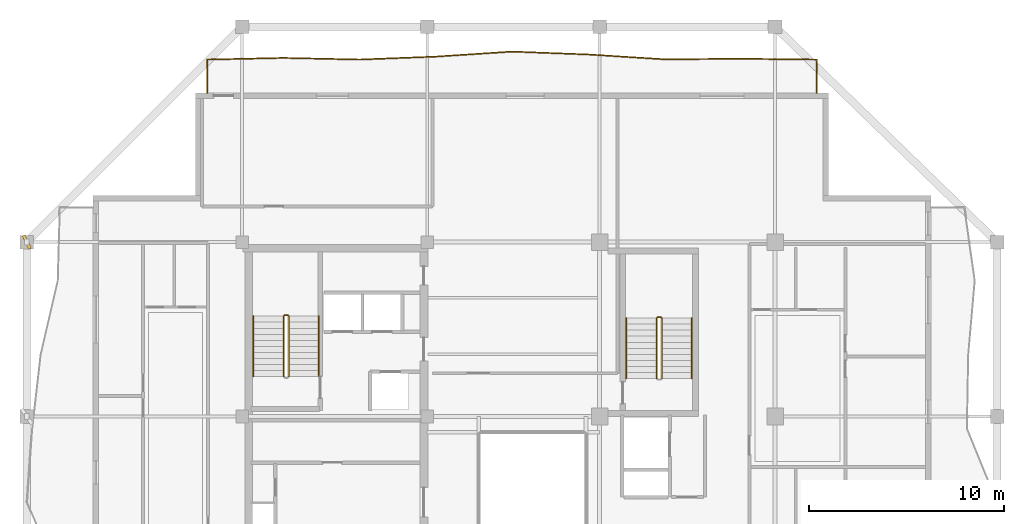
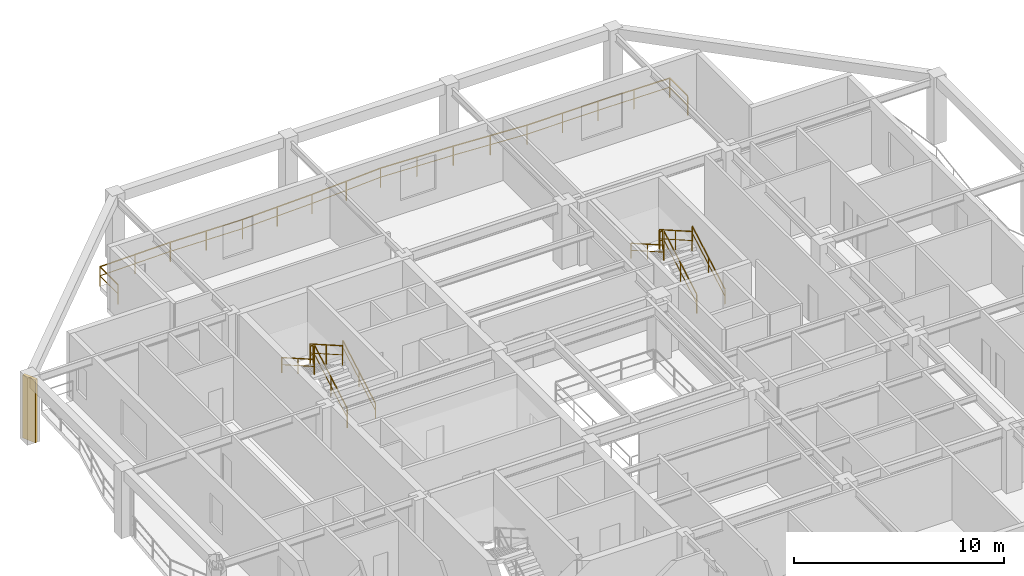
# One storey, part 11 of 12: 11 railings, 1 shading device.
"""IFC4 building model written with IfcOpenShell, lengths in metres."""

from ifc_helpers import new_model, si_unit, direction, frame, origin, origin_2d, place, context, subcontext, project, spatial, rectangle, extrude, material, type_object, element, save


model = new_model("IFC4")

# Units and contexts
model_context = context("Model", 3, precision=1e-05, world=origin(), true_north=direction((0.0, 1.0)))
body_context = subcontext(model_context, "Body", "Model", "MODEL_VIEW")
ifc_project = project(units=[si_unit("LENGTHUNIT", "METRE"), si_unit("AREAUNIT", "SQUARE_METRE"), si_unit("VOLUMEUNIT", "CUBIC_METRE"), si_unit("PLANEANGLEUNIT", "RADIAN"), si_unit("MASSUNIT", "GRAM", prefix="KILO")], contexts=[model_context])

# Site, building, storey
site_placement = place(None, origin())
site = spatial("IfcSite", under=ifc_project, at=site_placement, CompositionType="ELEMENT")
building_placement = place(site_placement, origin())
building = spatial("IfcBuilding", under=site, at=building_placement, Name="Kundavana Baori Tower", CompositionType="ELEMENT")
storey_placement = place(building_placement, frame((0.0, 0.0, 245.300048828125)))
storey = spatial("IfcBuildingStorey", under=building, at=storey_placement, Name="L60", CompositionType="ELEMENT", Elevation=245.300048828125)

# Railings
ifc_material_1 = material(Name="Architectural Patinated Bronze Metalwork")
railing_type_1 = type_object("IfcRailingType", Name="RL-BAL-1150", PredefinedType="BALUSTRADE", material=ifc_material_1)
railing_1_placement = place(storey_placement, frame((13.64990234375, 49.60009765625, 0.0)))
element("IfcRailing", 1, at=railing_1_placement, inside=storey, type_object=railing_type_1, Name="L60 Loggia Balcony Balustrade N", PredefinedType="BALUSTRADE", context=body_context, shape_type="SweptSolid", body=[
    extrude(rectangle(XDim=0.048095703125, YDim=0.048095703125, at=origin_2d()), frame((0.0, 0.0, 1.1259765625), z_axis=(0.0, 1.0, 0.0), x_axis=(-1.0, 0.0, 0.0)), (0.0, 0.0, 1.0), 1.719970703125),
    extrude(rectangle(XDim=0.03125, YDim=0.03125, at=origin_2d()), frame((0.0, 0.0, 0.597900390625), z_axis=(0.0, 1.0, 0.0), x_axis=(-1.0, 0.0, 0.0)), (0.0, 0.0, 1.0), 1.719970703125),
    extrude(rectangle(XDim=0.048095703125, YDim=0.048095703125, at=origin_2d()), frame((0.0, 1.719970703125, 1.1259765625), z_axis=(0.999758811656, 0.02196175123, 0.0), x_axis=(-0.02196175123, 0.999758811656, 0.0)), (0.0, 0.0, 1.0), 3.9130859375),
    extrude(rectangle(XDim=0.03125, YDim=0.03125, at=origin_2d()), frame((0.0, 1.719970703125, 0.597900390625), z_axis=(0.999758811656, 0.02196175123, 0.0), x_axis=(-0.02196175123, 0.999758811656, 0.0)), (0.0, 0.0, 1.0), 3.9130859375),
    extrude(rectangle(XDim=0.048095703125, YDim=0.048095703125, at=origin_2d()), frame((3.912109375, 1.805908203125, 1.1259765625), z_axis=(0.999769761358, -0.021457499246, 0.0), x_axis=(0.021457499246, 0.999769761358, 0.0)), (0.0, 0.0, 1.0), 3.9140625),
    extrude(rectangle(XDim=0.03125, YDim=0.03125, at=origin_2d()), frame((3.912109375, 1.805908203125, 0.597900390625), z_axis=(0.999769761358, -0.021457499246, 0.0), x_axis=(0.021457499246, 0.999769761358, 0.0)), (0.0, 0.0, 1.0), 3.9140625),
    extrude(rectangle(XDim=0.048095703125, YDim=0.048095703125, at=origin_2d()), frame((7.8251953125, 1.721923828125, 1.1259765625), z_axis=(0.99925739391, 0.038531295279, 0.0), x_axis=(-0.038531295279, 0.99925739391, 0.0)), (0.0, 0.0, 1.0), 3.915771484375),
    extrude(rectangle(XDim=0.03125, YDim=0.03125, at=origin_2d()), frame((7.8251953125, 1.721923828125, 0.597900390625), z_axis=(0.99925739391, 0.038531295279, 0.0), x_axis=(-0.038531295279, 0.99925739391, 0.0)), (0.0, 0.0, 1.0), 3.915771484375),
    extrude(rectangle(XDim=0.048095703125, YDim=0.048095703125, at=origin_2d()), frame((11.738037109375, 1.872802734375, 1.1259765625), z_axis=(0.997831478904, 0.065820511308, 0.0), x_axis=(-0.065820511308, 0.997831478904, 0.0)), (0.0, 0.0, 1.0), 3.920654296875),
    extrude(rectangle(XDim=0.03125, YDim=0.03125, at=origin_2d()), frame((11.738037109375, 1.872802734375, 0.597900390625), z_axis=(0.997831478904, 0.065820511308, 0.0), x_axis=(-0.065820511308, 0.997831478904, 0.0)), (0.0, 0.0, 1.0), 3.920654296875),
    extrude(rectangle(XDim=0.048095703125, YDim=0.048095703125, at=origin_2d()), frame((15.650146484375, 2.130859375, 1.1259765625), z_axis=(0.999276474792, -0.038033234518, 0.0), x_axis=(0.038033234518, 0.999276474792, 0.0)), (0.0, 0.0, 1.0), 3.915771484375),
    extrude(rectangle(XDim=0.03125, YDim=0.03125, at=origin_2d()), frame((15.650146484375, 2.130859375, 0.597900390625), z_axis=(0.999276474792, -0.038033234518, 0.0), x_axis=(0.038033234518, 0.999276474792, 0.0)), (0.0, 0.0, 1.0), 3.915771484375),
    extrude(rectangle(XDim=0.048095703125, YDim=0.048095703125, at=origin_2d()), frame((19.56298828125, 1.98193359375, 1.1259765625), z_axis=(0.997995950254, -0.063277826102, 0.0), x_axis=(0.063277826102, 0.997995950254, 0.0)), (0.0, 0.0, 1.0), 3.919921875),
    extrude(rectangle(XDim=0.03125, YDim=0.03125, at=origin_2d()), frame((19.56298828125, 1.98193359375, 0.597900390625), z_axis=(0.997995950254, -0.063277826102, 0.0), x_axis=(0.063277826102, 0.997995950254, 0.0)), (0.0, 0.0, 1.0), 3.919921875),
    extrude(rectangle(XDim=0.048095703125, YDim=0.048095703125, at=origin_2d()), frame((23.47509765625, 1.73388671875, 1.1259765625), z_axis=(0.999974261084, 0.007174759173, 0.0), x_axis=(-0.007174759173, 0.999974261084, 0.0)), (0.0, 0.0, 1.0), 3.9130859375),
    extrude(rectangle(XDim=0.03125, YDim=0.03125, at=origin_2d()), frame((23.47509765625, 1.73388671875, 0.597900390625), z_axis=(0.999974261084, 0.007174759173, 0.0), x_axis=(-0.007174759173, 0.999974261084, 0.0)), (0.0, 0.0, 1.0), 3.9130859375),
    extrude(rectangle(XDim=0.048095703125, YDim=0.048095703125, at=origin_2d()), frame((27.38818359375, 1.761962890625, 1.1259765625), z_axis=(0.999942389492, -0.010733950633, 0.0), x_axis=(0.010733950633, 0.999942389492, 0.0)), (0.0, 0.0, 1.0), 3.912109375),
    extrude(rectangle(XDim=0.03125, YDim=0.03125, at=origin_2d()), frame((27.38818359375, 1.761962890625, 0.597900390625), z_axis=(0.999942389492, -0.010733950633, 0.0), x_axis=(0.010733950633, 0.999942389492, 0.0)), (0.0, 0.0, 1.0), 3.912109375),
    extrude(rectangle(XDim=0.048095703125, YDim=0.048095703125, at=origin_2d()), frame((31.300048828125, 1.719970703125, 1.1259765625), z_axis=(0.0, -1.0, 0.0), x_axis=(1.0, 0.0, 0.0)), (0.0, 0.0, 1.0), 1.719970703125),
    extrude(rectangle(XDim=0.03125, YDim=0.03125, at=origin_2d()), frame((31.300048828125, 1.719970703125, 0.597900390625), z_axis=(0.0, -1.0, 0.0), x_axis=(1.0, 0.0, 0.0)), (0.0, 0.0, 1.0), 1.719970703125),
    extrude(rectangle(XDim=0.0419921875, YDim=0.0419921875, at=origin_2d()), origin(), (0.0, 0.0, 1.0), 1.101806640625),
    extrude(rectangle(XDim=0.0419921875, YDim=0.0419921875, at=origin_2d()), frame((0.0, 1.719970703125, 0.0)), (0.0, 0.0, 1.0), 1.101806640625),
    extrude(rectangle(XDim=0.0419921875, YDim=0.0419921875, at=origin_2d()), frame((1.9560546875, 1.762939453125, 0.0)), (0.0, 0.0, 1.0), 1.101806640625),
    extrude(rectangle(XDim=0.0419921875, YDim=0.0419921875, at=origin_2d()), frame((3.912109375, 1.805908203125, 0.0)), (0.0, 0.0, 1.0), 1.101806640625),
    extrude(rectangle(XDim=0.0419921875, YDim=0.0419921875, at=origin_2d()), frame((5.86865234375, 1.763916015625, 0.0)), (0.0, 0.0, 1.0), 1.101806640625),
    extrude(rectangle(XDim=0.0419921875, YDim=0.0419921875, at=origin_2d()), frame((7.8251953125, 1.721923828125, 0.0)), (0.0, 0.0, 1.0), 1.101806640625),
    extrude(rectangle(XDim=0.0419921875, YDim=0.0419921875, at=origin_2d()), frame((9.78173828125, 1.79736328125, 0.0)), (0.0, 0.0, 1.0), 1.101806640625),
    extrude(rectangle(XDim=0.0419921875, YDim=0.0419921875, at=origin_2d()), frame((11.738037109375, 1.872802734375, 0.0)), (0.0, 0.0, 1.0), 1.101806640625),
    extrude(rectangle(XDim=0.0419921875, YDim=0.0419921875, at=origin_2d()), frame((13.694091796875, 2.001953125, 0.0)), (0.0, 0.0, 1.0), 1.101806640625),
    extrude(rectangle(XDim=0.0419921875, YDim=0.0419921875, at=origin_2d()), frame((15.650146484375, 2.130859375, 0.0)), (0.0, 0.0, 1.0), 1.101806640625),
    extrude(rectangle(XDim=0.0419921875, YDim=0.0419921875, at=origin_2d()), frame((17.6064453125, 2.056396484375, 0.0)), (0.0, 0.0, 1.0), 1.101806640625),
    extrude(rectangle(XDim=0.0419921875, YDim=0.0419921875, at=origin_2d()), frame((19.56298828125, 1.98193359375, 0.0)), (0.0, 0.0, 1.0), 1.101806640625),
    extrude(rectangle(XDim=0.0419921875, YDim=0.0419921875, at=origin_2d()), frame((21.51904296875, 1.85791015625, 0.0)), (0.0, 0.0, 1.0), 1.101806640625),
    extrude(rectangle(XDim=0.0419921875, YDim=0.0419921875, at=origin_2d()), frame((23.47509765625, 1.73388671875, 0.0)), (0.0, 0.0, 1.0), 1.101806640625),
    extrude(rectangle(XDim=0.0419921875, YDim=0.0419921875, at=origin_2d()), frame((25.431640625, 1.748046875, 0.0)), (0.0, 0.0, 1.0), 1.101806640625),
    extrude(rectangle(XDim=0.0419921875, YDim=0.0419921875, at=origin_2d()), frame((27.38818359375, 1.761962890625, 0.0)), (0.0, 0.0, 1.0), 1.101806640625),
    extrude(rectangle(XDim=0.0419921875, YDim=0.0419921875, at=origin_2d()), frame((29.34423828125, 1.740966796875, 0.0)), (0.0, 0.0, 1.0), 1.101806640625),
    extrude(rectangle(XDim=0.0419921875, YDim=0.0419921875, at=origin_2d()), frame((31.300048828125, 1.719970703125, 0.0)), (0.0, 0.0, 1.0), 1.101806640625),
    extrude(rectangle(XDim=0.0419921875, YDim=0.0419921875, at=origin_2d()), frame((31.300048828125, 0.0, 0.0)), (0.0, 0.0, 1.0), 1.101806640625),
])
ifc_material_2 = material(Name="Architectural Patinated Bronze Metalwork")
railing_type_2 = type_object("IfcRailingType", Name="RL-GRD-1150", PredefinedType="GUARDRAIL", material=ifc_material_2)
railing_2_placement = place(storey_placement, frame((17.840087890625, 35.050048828125, 0.17724609375)))
element("IfcRailing", 2, at=railing_2_placement, inside=storey, type_object=railing_type_2, Name="L60 ST2 stair guard 1", PredefinedType="GUARDRAIL", context=body_context, shape_type="SweptSolid", body=[
    extrude(rectangle(XDim=0.048095703125, YDim=0.048095703125, at=origin_2d()), frame((0.0, 0.0, 1.1259765625), z_axis=(0.0, 0.868079009454, 0.496426060301), x_axis=(-1.0, 0.0, 0.0)), (0.0, 0.0, 1.0), 3.571044921875),
    extrude(rectangle(XDim=0.03125, YDim=0.03125, at=origin_2d()), frame((0.0, 0.0, 0.597900390625), z_axis=(0.0, 0.868079009454, 0.496426060301), x_axis=(-1.0, 0.0, 0.0)), (0.0, 0.0, 1.0), 3.571044921875),
    extrude(rectangle(XDim=0.0419921875, YDim=0.0419921875, at=origin_2d()), origin(), (0.0, 0.0, 1.0), 1.101806640625),
    extrude(rectangle(XDim=0.0419921875, YDim=0.0419921875, at=origin_2d()), frame((0.0, 1.5498046875, 0.88623046875)), (0.0, 0.0, 1.0), 1.101806640625),
    extrude(rectangle(XDim=0.0419921875, YDim=0.0419921875, at=origin_2d()), frame((0.0, 3.099853515625, 1.772705078125)), (0.0, 0.0, 1.0), 1.101806640625),
])
railing_3_placement = place(storey_placement, frame((17.7900390625, 38.199951171875, 1.949951171875)))
element("IfcRailing", 3, at=railing_3_placement, inside=storey, type_object=railing_type_2, Name="L60 ST2 stair guard 2", PredefinedType="GUARDRAIL", context=body_context, shape_type="SweptSolid", body=[
    extrude(rectangle(XDim=0.048095703125, YDim=0.048095703125, at=origin_2d()), frame((0.0, 0.0, 1.1259765625), z_axis=(-1.0, 0.0, 0.0), x_axis=(0.0, -1.0, 0.0)), (0.0, 0.0, 1.0), 0.16015625),
    extrude(rectangle(XDim=0.03125, YDim=0.03125, at=origin_2d()), frame((0.0, 0.0, 0.597900390625), z_axis=(-1.0, 0.0, 0.0), x_axis=(0.0, -1.0, 0.0)), (0.0, 0.0, 1.0), 0.16015625),
    extrude(rectangle(XDim=0.0419921875, YDim=0.0419921875, at=origin_2d()), origin(), (0.0, 0.0, 1.0), 1.101806640625),
    extrude(rectangle(XDim=0.0419921875, YDim=0.0419921875, at=origin_2d()), frame((-0.16015625, 0.0, 0.0)), (0.0, 0.0, 1.0), 1.101806640625),
])
railing_4_placement = place(storey_placement, frame((17.580078125, 38.14990234375, 2.127197265625)))
element("IfcRailing", 4, at=railing_4_placement, inside=storey, type_object=railing_type_2, Name="L60 ST2 stair guard 3", PredefinedType="GUARDRAIL", context=body_context, shape_type="SweptSolid", body=[
    extrude(rectangle(XDim=0.048095703125, YDim=0.048095703125, at=origin_2d()), frame((0.0, 0.0, 1.1259765625), z_axis=(0.0, -0.868079009454, 0.496426060301), x_axis=(1.0, 0.0, 0.0)), (0.0, 0.0, 1.0), 3.571044921875),
    extrude(rectangle(XDim=0.03125, YDim=0.03125, at=origin_2d()), frame((0.0, 0.0, 0.597900390625), z_axis=(0.0, -0.868079009454, 0.496426060301), x_axis=(1.0, 0.0, 0.0)), (0.0, 0.0, 1.0), 3.571044921875),
    extrude(rectangle(XDim=0.0419921875, YDim=0.0419921875, at=origin_2d()), origin(), (0.0, 0.0, 1.0), 1.101806640625),
    extrude(rectangle(XDim=0.0419921875, YDim=0.0419921875, at=origin_2d()), frame((0.0, -1.5498046875, 0.88623046875)), (0.0, 0.0, 1.0), 1.101806640625),
    extrude(rectangle(XDim=0.0419921875, YDim=0.0419921875, at=origin_2d()), frame((0.0, -3.099853515625, 1.772705078125)), (0.0, 0.0, 1.0), 1.101806640625),
])
railing_5_placement = place(storey_placement, frame((36.97998046875, 34.949951171875, 0.17724609375)))
element("IfcRailing", 5, at=railing_5_placement, inside=storey, type_object=railing_type_2, Name="L60 ST3 stair guard 1", PredefinedType="GUARDRAIL", context=body_context, shape_type="SweptSolid", body=[
    extrude(rectangle(XDim=0.048095703125, YDim=0.048095703125, at=origin_2d()), frame((0.0, 0.0, 1.1259765625), z_axis=(0.0, 0.868095856688, 0.496396599103), x_axis=(-1.0, 0.0, 0.0)), (0.0, 0.0, 1.0), 3.571044921875),
    extrude(rectangle(XDim=0.03125, YDim=0.03125, at=origin_2d()), frame((0.0, 0.0, 0.597900390625), z_axis=(0.0, 0.868095856688, 0.496396599103), x_axis=(-1.0, 0.0, 0.0)), (0.0, 0.0, 1.0), 3.571044921875),
    extrude(rectangle(XDim=0.0419921875, YDim=0.0419921875, at=origin_2d()), origin(), (0.0, 0.0, 1.0), 1.101806640625),
    extrude(rectangle(XDim=0.0419921875, YDim=0.0419921875, at=origin_2d()), frame((0.0, 1.550048828125, 0.88623046875)), (0.0, 0.0, 1.0), 1.101806640625),
    extrude(rectangle(XDim=0.0419921875, YDim=0.0419921875, at=origin_2d()), frame((0.0, 3.10009765625, 1.772705078125)), (0.0, 0.0, 1.0), 1.101806640625),
])
railing_6_placement = place(storey_placement, frame((36.929931640625, 38.10009765625, 1.949951171875)))
element("IfcRailing", 6, at=railing_6_placement, inside=storey, type_object=railing_type_2, Name="L60 ST3 stair guard 2", PredefinedType="GUARDRAIL", context=body_context, shape_type="SweptSolid", body=[
    extrude(rectangle(XDim=0.048095703125, YDim=0.048095703125, at=origin_2d()), frame((0.0, 0.0, 1.1259765625), z_axis=(-1.0, 0.0, 0.0), x_axis=(0.0, -1.0, 0.0)), (0.0, 0.0, 1.0), 0.159912109375),
    extrude(rectangle(XDim=0.03125, YDim=0.03125, at=origin_2d()), frame((0.0, 0.0, 0.597900390625), z_axis=(-1.0, 0.0, 0.0), x_axis=(0.0, -1.0, 0.0)), (0.0, 0.0, 1.0), 0.159912109375),
    extrude(rectangle(XDim=0.0419921875, YDim=0.0419921875, at=origin_2d()), origin(), (0.0, 0.0, 1.0), 1.101806640625),
    extrude(rectangle(XDim=0.0419921875, YDim=0.0419921875, at=origin_2d()), frame((-0.159912109375, 0.0, 0.0)), (0.0, 0.0, 1.0), 1.101806640625),
])
railing_7_placement = place(storey_placement, frame((36.719970703125, 38.050048828125, 2.127197265625)))
element("IfcRailing", 7, at=railing_7_placement, inside=storey, type_object=railing_type_2, Name="L60 ST3 stair guard 3", PredefinedType="GUARDRAIL", context=body_context, shape_type="SweptSolid", body=[
    extrude(rectangle(XDim=0.048095703125, YDim=0.048095703125, at=origin_2d()), frame((0.0, 0.0, 1.1259765625), z_axis=(0.0, -0.868095856688, 0.496396599103), x_axis=(1.0, 0.0, 0.0)), (0.0, 0.0, 1.0), 3.571044921875),
    extrude(rectangle(XDim=0.03125, YDim=0.03125, at=origin_2d()), frame((0.0, 0.0, 0.597900390625), z_axis=(0.0, -0.868095856688, 0.496396599103), x_axis=(1.0, 0.0, 0.0)), (0.0, 0.0, 1.0), 3.571044921875),
    extrude(rectangle(XDim=0.0419921875, YDim=0.0419921875, at=origin_2d()), origin(), (0.0, 0.0, 1.0), 1.101806640625),
    extrude(rectangle(XDim=0.0419921875, YDim=0.0419921875, at=origin_2d()), frame((0.0, -1.550048828125, 0.88623046875)), (0.0, 0.0, 1.0), 1.101806640625),
    extrude(rectangle(XDim=0.0419921875, YDim=0.0419921875, at=origin_2d()), frame((0.0, -3.10009765625, 1.772705078125)), (0.0, 0.0, 1.0), 1.101806640625),
])
ifc_material_3 = material(Name="Architectural Patinated Bronze Metalwork")
railing_type_3 = type_object("IfcRailingType", Name="RL-HND-920", PredefinedType="HANDRAIL", material=ifc_material_3)
railing_8_placement = place(storey_placement, frame((19.389892578125, 35.050048828125, 0.17724609375)))
element("IfcRailing", 8, at=railing_8_placement, inside=storey, type_object=railing_type_3, Name="L60 ST2 stair handrail 1", PredefinedType="HANDRAIL", context=body_context, shape_type="SweptSolid", body=[
    extrude(rectangle(XDim=0.048095703125, YDim=0.048095703125, at=origin_2d()), frame((0.0, 0.0, 0.8759765625), z_axis=(0.0, 0.868079009454, 0.496426060301), x_axis=(-1.0, 0.0, 0.0)), (0.0, 0.0, 1.0), 3.571044921875),
    extrude(rectangle(XDim=0.03125, YDim=0.03125, at=origin_2d()), frame((0.0, 0.0, 0.468017578125), z_axis=(0.0, 0.868079009454, 0.496426060301), x_axis=(-1.0, 0.0, 0.0)), (0.0, 0.0, 1.0), 3.571044921875),
    extrude(rectangle(XDim=0.0419921875, YDim=0.0419921875, at=origin_2d()), origin(), (0.0, 0.0, 1.0), 0.851806640625),
    extrude(rectangle(XDim=0.0419921875, YDim=0.0419921875, at=origin_2d()), frame((0.0, 1.5498046875, 0.88623046875)), (0.0, 0.0, 1.0), 0.851806640625),
    extrude(rectangle(XDim=0.0419921875, YDim=0.0419921875, at=origin_2d()), frame((0.0, 3.099853515625, 1.772705078125)), (0.0, 0.0, 1.0), 0.851806640625),
])
railing_9_placement = place(storey_placement, frame((16.030029296875, 38.14990234375, 2.127197265625)))
element("IfcRailing", 9, at=railing_9_placement, inside=storey, type_object=railing_type_3, Name="L60 ST2 stair handrail 2", PredefinedType="HANDRAIL", context=body_context, shape_type="SweptSolid", body=[
    extrude(rectangle(XDim=0.048095703125, YDim=0.048095703125, at=origin_2d()), frame((0.0, 0.0, 0.8759765625), z_axis=(0.0, -0.868079009454, 0.496426060301), x_axis=(1.0, 0.0, 0.0)), (0.0, 0.0, 1.0), 3.571044921875),
    extrude(rectangle(XDim=0.03125, YDim=0.03125, at=origin_2d()), frame((0.0, 0.0, 0.468017578125), z_axis=(0.0, -0.868079009454, 0.496426060301), x_axis=(1.0, 0.0, 0.0)), (0.0, 0.0, 1.0), 3.571044921875),
    extrude(rectangle(XDim=0.0419921875, YDim=0.0419921875, at=origin_2d()), origin(), (0.0, 0.0, 1.0), 0.851806640625),
    extrude(rectangle(XDim=0.0419921875, YDim=0.0419921875, at=origin_2d()), frame((0.0, -1.5498046875, 0.88623046875)), (0.0, 0.0, 1.0), 0.851806640625),
    extrude(rectangle(XDim=0.0419921875, YDim=0.0419921875, at=origin_2d()), frame((0.0, -3.099853515625, 1.772705078125)), (0.0, 0.0, 1.0), 0.851806640625),
])
railing_10_placement = place(storey_placement, frame((38.530029296875, 34.949951171875, 0.17724609375)))
element("IfcRailing", 10, at=railing_10_placement, inside=storey, type_object=railing_type_3, Name="L60 ST3 stair handrail 1", PredefinedType="HANDRAIL", context=body_context, shape_type="SweptSolid", body=[
    extrude(rectangle(XDim=0.048095703125, YDim=0.048095703125, at=origin_2d()), frame((0.0, 0.0, 0.8759765625), z_axis=(0.0, 0.868095856688, 0.496396599103), x_axis=(-1.0, 0.0, 0.0)), (0.0, 0.0, 1.0), 3.571044921875),
    extrude(rectangle(XDim=0.03125, YDim=0.03125, at=origin_2d()), frame((0.0, 0.0, 0.468017578125), z_axis=(0.0, 0.868095856688, 0.496396599103), x_axis=(-1.0, 0.0, 0.0)), (0.0, 0.0, 1.0), 3.571044921875),
    extrude(rectangle(XDim=0.0419921875, YDim=0.0419921875, at=origin_2d()), origin(), (0.0, 0.0, 1.0), 0.851806640625),
    extrude(rectangle(XDim=0.0419921875, YDim=0.0419921875, at=origin_2d()), frame((0.0, 1.550048828125, 0.88623046875)), (0.0, 0.0, 1.0), 0.851806640625),
    extrude(rectangle(XDim=0.0419921875, YDim=0.0419921875, at=origin_2d()), frame((0.0, 3.10009765625, 1.772705078125)), (0.0, 0.0, 1.0), 0.851806640625),
])
railing_11_placement = place(storey_placement, frame((35.169921875, 38.050048828125, 2.127197265625)))
element("IfcRailing", 11, at=railing_11_placement, inside=storey, type_object=railing_type_3, Name="L60 ST3 stair handrail 2", PredefinedType="HANDRAIL", context=body_context, shape_type="SweptSolid", body=[
    extrude(rectangle(XDim=0.048095703125, YDim=0.048095703125, at=origin_2d()), frame((0.0, 0.0, 0.8759765625), z_axis=(0.0, -0.868095856688, 0.496396599103), x_axis=(1.0, 0.0, 0.0)), (0.0, 0.0, 1.0), 3.571044921875),
    extrude(rectangle(XDim=0.03125, YDim=0.03125, at=origin_2d()), frame((0.0, 0.0, 0.468017578125), z_axis=(0.0, -0.868095856688, 0.496396599103), x_axis=(1.0, 0.0, 0.0)), (0.0, 0.0, 1.0), 3.571044921875),
    extrude(rectangle(XDim=0.0419921875, YDim=0.0419921875, at=origin_2d()), origin(), (0.0, 0.0, 1.0), 0.851806640625),
    extrude(rectangle(XDim=0.0419921875, YDim=0.0419921875, at=origin_2d()), frame((0.0, -1.550048828125, 0.88623046875)), (0.0, 0.0, 1.0), 0.851806640625),
    extrude(rectangle(XDim=0.0419921875, YDim=0.0419921875, at=origin_2d()), frame((0.0, -3.10009765625, 1.772705078125)), (0.0, 0.0, 1.0), 0.851806640625),
])

# Shading device
ifc_material_4 = material(Name="Red-Buff Dholpur Sandstone Cladding on Concrete C40/50", Category="masonry")
shading_device_type = type_object("IfcShadingDeviceType", Name="SHD-FIN-750", PredefinedType="JALOUSIE", material=ifc_material_4)
shading_device_placement = place(storey_placement, frame((4.39990234375, 41.949951171875, 0.0), z_axis=(0.0, 0.0, 1.0), x_axis=(0.903634525916, 0.428304381921, 0.0)))
element("IfcShadingDevice", 12, at=shading_device_placement, inside=storey, type_object=shading_device_type, Name="L60 Sweeping Dholpur Sandstone Facade Fin 8", PredefinedType="JALOUSIE", context=body_context, shape_type="SweptSolid", body=[
    extrude(rectangle(XDim=0.159912109375, YDim=0.75, at=origin_2d()), origin(), (0.0, 0.0, 1.0), 3.659912109375),
])

save(model, "model.ifc")
